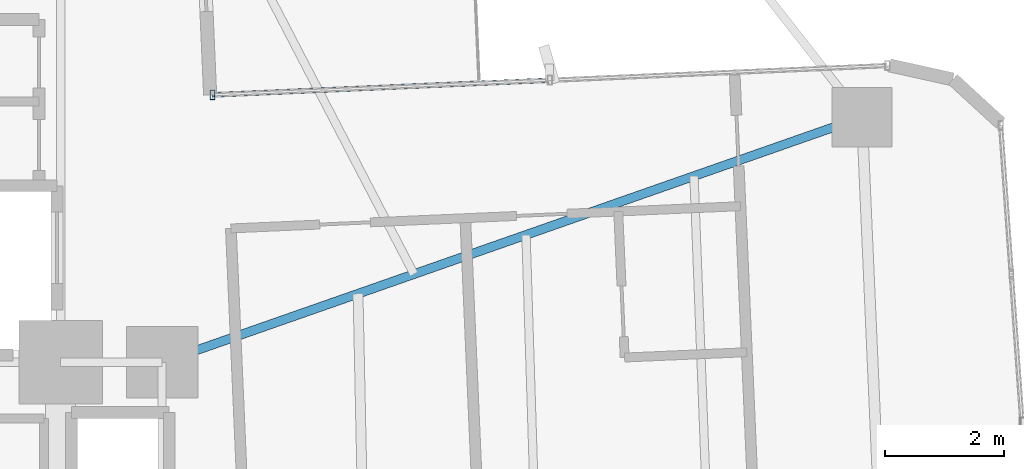
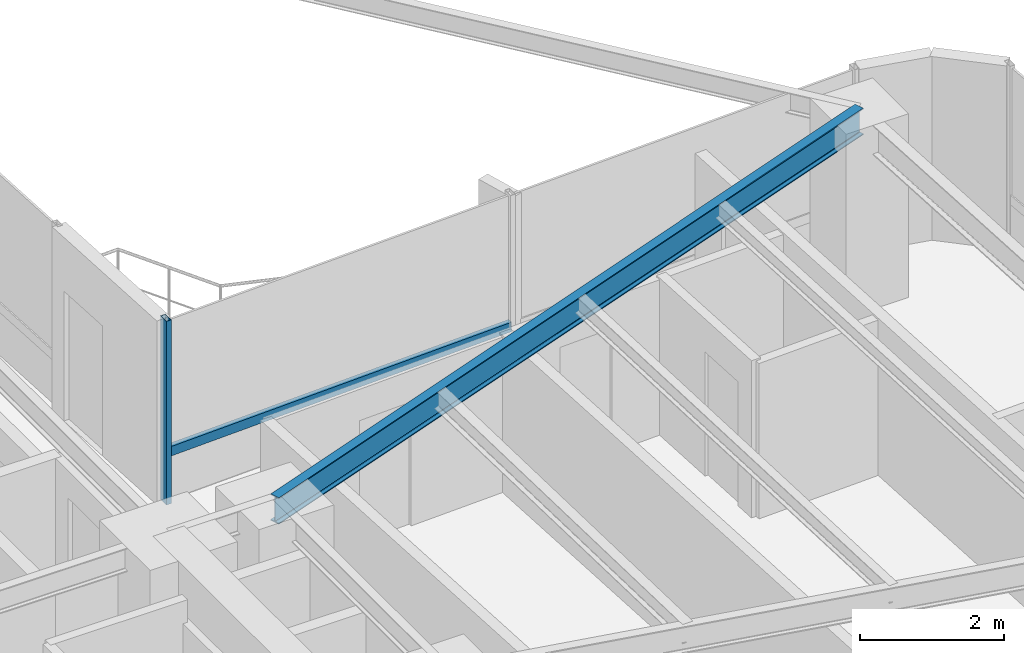
# One storey, part 13 of 26: 2 members, 1 beam, 1 element without a shape of its own.
"""IFC4 building model written with IfcOpenShell, lengths in metres."""

from ifc_helpers import new_model, si_unit, direction, frame, origin, origin_2d, place, context, subcontext, project, spatial, hollow_rectangle, i_section, extrude, source, transform, mapped, material, material_profile, profile_set, type_object, element, aggregate, save


model = new_model("IFC4")

# Units and contexts
model_context = context("Model", 3, precision=1e-05, world=origin(), true_north=direction((0.0, 1.0)))
body_context = subcontext(model_context, "Body", "Model", "MODEL_VIEW")
ifc_project = project(units=[si_unit("LENGTHUNIT", "METRE"), si_unit("AREAUNIT", "SQUARE_METRE"), si_unit("VOLUMEUNIT", "CUBIC_METRE"), si_unit("PLANEANGLEUNIT", "RADIAN"), si_unit("MASSUNIT", "GRAM", prefix="KILO")], contexts=[model_context])

# Site, building, storey
site_placement = place(None, origin())
site = spatial("IfcSite", under=ifc_project, at=site_placement, CompositionType="ELEMENT")
building_placement = place(site_placement, origin())
building = spatial("IfcBuilding", under=site, at=building_placement, Name="Sahyath Konkavel Grand Hotel", CompositionType="ELEMENT")
storey_placement = place(building_placement, frame((0.0, 0.0, 93.550048828125)))
storey = spatial("IfcBuildingStorey", under=building, at=storey_placement, Name="L25", CompositionType="ELEMENT", Elevation=93.550048828125)

# Beam
ifc_material_1 = material(Name="Steel E350", Category="steel")
ifc_material_profile_1 = material_profile(ifc_material_1, i_section(OverallWidth=0.14990234375, OverallDepth=0.449951171875, WebThickness=0.009521484375, FlangeThickness=0.017333984375, FilletRadius=0.014892578125, at=origin_2d()), Name="ISMB 450")
ifc_profile_set_1 = profile_set([ifc_material_profile_1], Name="Steel E350")
beam_type = type_object("IfcBeamType", Name="BM-ISMB450", PredefinedType="BEAM", material=ifc_profile_set_1)
shared_shape_1 = source(origin(), body_context, "Body", "SweptSolid", [
    extrude(i_section(OverallWidth=0.14990234375, OverallDepth=0.449951171875, WebThickness=0.009521484375, FlangeThickness=0.017333984375, FilletRadius=0.014892578125, at=origin_2d()), origin(), (0.0, 0.0, 1.0), 12.430908203125),
])
beam_placement = place(storey_placement, frame((5.5, 2.39990234375, 2.885009765625), z_axis=(0.943819157235, 0.330462400941, 0.0), x_axis=(-0.330462400941, 0.943819157235, 0.0)))
element("IfcBeam", 1, at=beam_placement, inside=storey, type_object=beam_type, Name="L25 Cruciform Radial Girder EB", PredefinedType="BEAM", context=body_context, shape_type="MappedRepresentation", body=[
    mapped(shared_shape_1, transform((0.0, 0.0, 0.0), scale=1.0)),
])

# Curtain wall, members
ifc_material_2 = material(Name="Anodised Bronze Aluminium & Low-E Glazing", Category="aluminium")
curtain_wall_type = type_object("IfcCurtainWallType", Name="CW-ZONE2", PredefinedType="NOTDEFINED", material=ifc_material_2)
curtain_wall_placement = place(storey_placement, origin())
curtain_wall = element("IfcCurtainWall", 2, at=curtain_wall_placement, inside=storey, type_object=curtain_wall_type, Name="L25 Unitised Curtain Wall F7", PredefinedType="NOTDEFINED")
ifc_material_3 = material(Name="Anodised Bronze Aluminium", Category="aluminium")
ifc_material_profile_2 = material_profile(ifc_material_3, hollow_rectangle(XDim=0.080078125, YDim=0.159912109375, WallThickness=0.006103515625, at=origin_2d()), Name="RHS 160x80x6")
ifc_profile_set_2 = profile_set([ifc_material_profile_2], Name="Anodised Bronze Aluminium")
member_type_1 = type_object("IfcMemberType", Name="CW-MUL-160", PredefinedType="MULLION", material=ifc_profile_set_2)
shared_shape_2 = source(origin(), body_context, "Body", "SweptSolid", [
    extrude(hollow_rectangle(XDim=0.080078125, YDim=0.159912109375, WallThickness=0.006103515625, at=origin_2d()), origin(), (0.0, 0.0, 1.0), 3.10986328125),
])
member_1_placement = place(storey_placement, frame((6.345703125, 6.88330078125, 0.0), z_axis=(0.0, 0.0, 1.0), x_axis=(1.0, 0.0, 0.0)))
member_1 = element("IfcMember", 3, at=member_1_placement, type_object=member_type_1, Name="L25 Curtain Wall Mullion F7-2", PredefinedType="MULLION", context=body_context, shape_type="MappedRepresentation", body=[
    mapped(shared_shape_2, transform((0.0, 0.0, 0.0), scale=1.0)),
])
ifc_material_profile_3 = material_profile(ifc_material_3, hollow_rectangle(XDim=0.080078125, YDim=0.159912109375, WallThickness=0.006103515625, at=origin_2d()), Name="RHS 160x80x6")
ifc_profile_set_3 = profile_set([ifc_material_profile_3], Name="Anodised Bronze Aluminium")
member_type_2 = type_object("IfcMemberType", Name="CW-TRN-160", PredefinedType="USERDEFINED", material=ifc_profile_set_3)
shared_shape_3 = source(origin(), body_context, "Body", "SweptSolid", [
    extrude(hollow_rectangle(XDim=0.080078125, YDim=0.159912109375, WallThickness=0.006103515625, at=origin_2d()), origin(), (0.0, 0.0, 1.0), 5.66015625),
])
member_2_placement = place(storey_placement, frame((12.00048828125, 7.13037109375, 0.849853515625), z_axis=(-0.9990468579, -0.043650609628, 0.0), x_axis=(0.043650609628, -0.9990468579, 0.0)))
member_2 = element("IfcMember", 4, at=member_2_placement, type_object=member_type_2, Name="L25 Curtain Wall Transom F7-1-spandrel", ObjectType="TRANSOM", PredefinedType="USERDEFINED", context=body_context, shape_type="MappedRepresentation", body=[
    mapped(shared_shape_3, transform((0.0, 0.0, 0.0), scale=1.0)),
])
aggregate(curtain_wall, [member_1, member_2])

save(model, "model.ifc")
